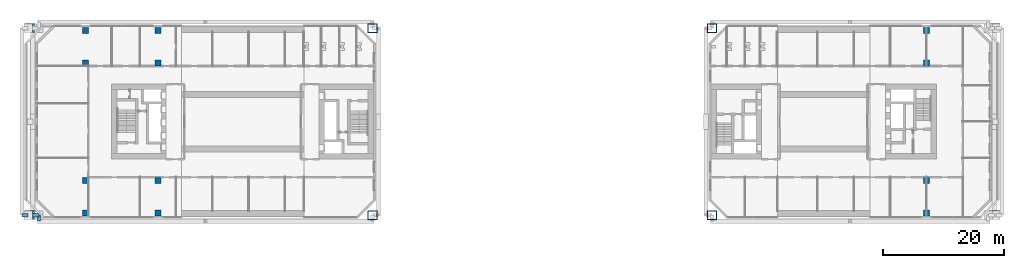
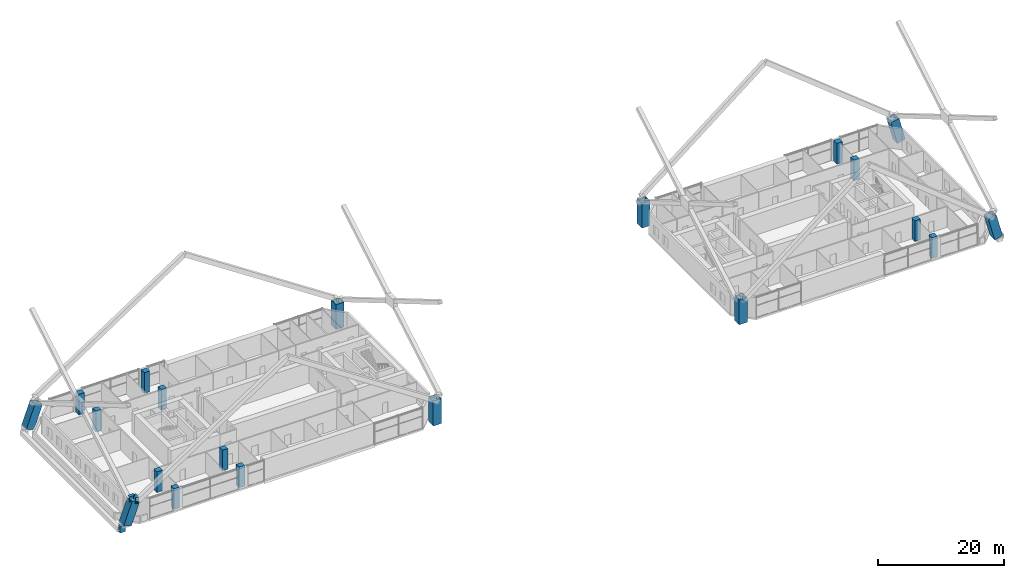
# One storey, part 1 of 25: 20 columns, 3 beams.
"""IFC4 building model written with IfcOpenShell, lengths in metres."""

from ifc_helpers import new_model, si_unit, direction, frame, origin, origin_2d, place, context, subcontext, project, spatial, rectangle, hollow_rectangle, extrude, material, material_profile, profile_set, type_object, element, save


model = new_model("IFC4")

# Units and contexts
model_context = context("Model", 3, precision=1e-05, world=origin(), true_north=direction((0.0, 1.0)))
body_context = subcontext(model_context, "Body", "Model", "MODEL_VIEW")
ifc_project = project(units=[si_unit("LENGTHUNIT", "METRE"), si_unit("AREAUNIT", "SQUARE_METRE"), si_unit("VOLUMEUNIT", "CUBIC_METRE"), si_unit("PLANEANGLEUNIT", "RADIAN"), si_unit("MASSUNIT", "GRAM", prefix="KILO")], contexts=[model_context])

# Site, building, storey
site_placement = place(None, origin())
site = spatial("IfcSite", under=ifc_project, at=site_placement, CompositionType="ELEMENT")
building_placement = place(site_placement, origin())
building = spatial("IfcBuilding", under=site, at=building_placement, Name="Tuart Gate Housing", CompositionType="ELEMENT")
storey_placement = place(building_placement, frame((0.0, 0.0, 14.699951171875)))
storey = spatial("IfcBuildingStorey", under=building, at=storey_placement, Name="L03", CompositionType="ELEMENT", Elevation=14.699951171875)

# Columns
ifc_material_1 = material(Name="Steel Grade 350", Category="steel")
ifc_material_profile_1 = material_profile(ifc_material_1, hollow_rectangle(XDim=1.5, YDim=1.5, WallThickness=0.080078125, at=origin_2d()), Name="BOX 1500x1500x80")
ifc_profile_set_1 = profile_set([ifc_material_profile_1], Name="Steel Grade 350")
column_type_1 = type_object("IfcColumnType", Name="Mega column BOX 1500x1500x80 (4.6-5.8 m)", PredefinedType="COLUMN", material=ifc_profile_set_1)
column_1_placement = place(storey_placement, frame((18.643798828125, 54.550048828125, 0.2568359375), z_axis=(0.342481981042, 0.0, 0.939524397055), x_axis=(0.0, 1.0, 0.0)))
element("IfcColumn", 1, at=column_1_placement, inside=storey, type_object=column_type_1, Name="Mega column A south-west L03", PredefinedType="COLUMN", context=body_context, shape_type="SweptSolid", body=[
    extrude(hollow_rectangle(XDim=1.5, YDim=1.5, WallThickness=0.080078125, at=origin_2d()), origin(), (0.0, 0.0, 1.0), 4.562255859375),
])
for number, where, z_axis, x_axis, name in (
    (2, (75.449951171875, 54.550048828125, 0.0), (0.0, 0.0, 1.0), (1.0, 0.0, 0.0), "Mega column A south-east L03"),
    (3, (75.449951171875, 85.449951171875, 0.0), (0.0, 0.0, 1.0), (1.0, 0.0, 0.0), "Mega column A north-east L03"),
):
    element("IfcColumn", number, at=place(storey_placement, frame(where, z_axis=z_axis, x_axis=x_axis)), inside=storey, type_object=column_type_1, Name=name, PredefinedType="COLUMN", context=body_context, shape_type="SweptSolid", body=[
        extrude(hollow_rectangle(XDim=1.5, YDim=1.5, WallThickness=0.080078125, at=origin_2d()), origin(), (0.0, 0.0, 1.0), 4.800048828125),
    ])
column_2_placement = place(storey_placement, frame((18.643798828125, 85.449951171875, 0.2568359375), z_axis=(0.342481981042, 0.0, 0.939524397055), x_axis=(0.0, 1.0, 0.0)))
element("IfcColumn", 4, at=column_2_placement, inside=storey, type_object=column_type_1, Name="Mega column A north-west L03", PredefinedType="COLUMN", context=body_context, shape_type="SweptSolid", body=[
    extrude(hollow_rectangle(XDim=1.5, YDim=1.5, WallThickness=0.080078125, at=origin_2d()), origin(), (0.0, 0.0, 1.0), 4.562255859375),
])
column_3_placement = place(storey_placement, frame((131.550048828125, 54.550048828125, 0.0), z_axis=(0.0, 0.0, 1.0), x_axis=(1.0, 0.0, 0.0)))
element("IfcColumn", 5, at=column_3_placement, inside=storey, type_object=column_type_1, Name="Mega column B south-west L03", PredefinedType="COLUMN", context=body_context, shape_type="SweptSolid", body=[
    extrude(hollow_rectangle(XDim=1.5, YDim=1.5, WallThickness=0.080078125, at=origin_2d()), origin(), (0.0, 0.0, 1.0), 4.800048828125),
])
for number, where, z_axis, x_axis, name in (
    (6, (178.40087890625, 54.550048828125, 0.18896484375), (-0.252015167708, 0.0, 0.967723284439), (0.0, -1.0, 0.0), "Mega column B south-east L03"),
    (7, (178.40087890625, 85.449951171875, 0.18896484375), (-0.252015167708, 0.0, 0.967723284439), (0.0, -1.0, 0.0), "Mega column B north-east L03"),
):
    element("IfcColumn", number, at=place(storey_placement, frame(where, z_axis=z_axis, x_axis=x_axis)), inside=storey, type_object=column_type_1, Name=name, PredefinedType="COLUMN", context=body_context, shape_type="SweptSolid", body=[
        extrude(hollow_rectangle(XDim=1.5, YDim=1.5, WallThickness=0.080078125, at=origin_2d()), origin(), (0.0, 0.0, 1.0), 4.569580078125),
    ])
column_4_placement = place(storey_placement, frame((131.550048828125, 85.449951171875, 0.0), z_axis=(0.0, 0.0, 1.0), x_axis=(1.0, 0.0, 0.0)))
element("IfcColumn", 8, at=column_4_placement, inside=storey, type_object=column_type_1, Name="Mega column B north-west L03", PredefinedType="COLUMN", context=body_context, shape_type="SweptSolid", body=[
    extrude(hollow_rectangle(XDim=1.5, YDim=1.5, WallThickness=0.080078125, at=origin_2d()), origin(), (0.0, 0.0, 1.0), 4.800048828125),
])
ifc_material_2 = material(Name="Concrete C50", Category="concrete")
ifc_material_profile_2 = material_profile(ifc_material_2, rectangle(XDim=1.0, YDim=1.0, at=origin_2d()), Name="RC column 1000 x 1000")
ifc_profile_set_2 = profile_set([ifc_material_profile_2], Name="Concrete C50")
column_type_2 = type_object("IfcColumnType", Name="RC column 1000 x 1000", PredefinedType="COLUMN", material=ifc_profile_set_2)
for number, where, z_axis, x_axis, name in (
    (9, (28.0, 54.89990234375, 0.0), (0.0, 0.0, 1.0), (1.0, 0.0, 0.0), "RC column 2 L03"),
    (10, (28.0, 60.300048828125, 0.0), (0.0, 0.0, 1.0), (1.0, 0.0, 0.0), "RC column 3 L03"),
    (11, (28.0, 79.699951171875, 0.0), (0.0, 0.0, 1.0), (1.0, 0.0, 0.0), "RC column 6 L03"),
    (12, (28.0, 85.10009765625, 0.0), (0.0, 0.0, 1.0), (1.0, 0.0, 0.0), "RC column 7 L03"),
    (13, (40.0, 54.89990234375, 0.0), (0.0, 0.0, 1.0), (1.0, 0.0, 0.0), "RC column 10 L03"),
    (14, (40.0, 60.300048828125, 0.0), (0.0, 0.0, 1.0), (1.0, 0.0, 0.0), "RC column 11 L03"),
    (15, (40.0, 79.699951171875, 0.0), (0.0, 0.0, 1.0), (1.0, 0.0, 0.0), "RC column 14 L03"),
    (16, (40.0, 85.10009765625, 0.0), (0.0, 0.0, 1.0), (1.0, 0.0, 0.0), "RC column 15 L03"),
    (17, (167.0, 54.89990234375, 0.0), (0.0, 0.0, 1.0), (1.0, 0.0, 0.0), "RC column 34 L03"),
    (18, (167.0, 60.300048828125, 0.0), (0.0, 0.0, 1.0), (1.0, 0.0, 0.0), "RC column 35 L03"),
    (19, (167.0, 79.699951171875, 0.0), (0.0, 0.0, 1.0), (1.0, 0.0, 0.0), "RC column 38 L03"),
    (20, (167.0, 85.10009765625, 0.0), (0.0, 0.0, 1.0), (1.0, 0.0, 0.0), "RC column 39 L03"),
):
    element("IfcColumn", number, at=place(storey_placement, frame(where, z_axis=z_axis, x_axis=x_axis)), inside=storey, type_object=column_type_2, Name=name, PredefinedType="COLUMN", context=body_context, shape_type="SweptSolid", body=[
        extrude(rectangle(XDim=1.0, YDim=1.0, at=origin_2d()), origin(), (0.0, 0.0, 1.0), 4.0),
    ])

# Beams
ifc_material_3 = material(Name="Steel Grade 350", Category="steel")
ifc_material_profile_3 = material_profile(ifc_material_3, hollow_rectangle(XDim=0.60009765625, YDim=1.199951171875, WallThickness=0.0400390625, at=origin_2d()), Name="BOX 1200x600x40")
ifc_profile_set_3 = profile_set([ifc_material_profile_3], Name="Steel Grade 350")
beam_type = type_object("IfcBeamType", Name="Brace shoe BOX 1200x600x40", PredefinedType="BEAM", material=ifc_profile_set_3)
for number, where, z_axis, x_axis, name in (
    (21, (18.550048828125, 54.550048828125, -0.39990234375), (-1.0, 0.0, 0.0), (0.0, -1.0, 0.0), "Mega tie beam A node 0 west shoe 0 L03"),
    (22, (20.300048828125, 54.550048828125, 4.800048828125), (0.0, -1.0, 0.0), (1.0, 0.0, 0.0), "Mega brace shoe A zone 1 south chevron 1"),
    (23, (20.300048828125, 54.550048828125, 4.800048828125), (-1.0, 0.0, 0.0), (0.0, -1.0, 0.0), "Mega brace shoe A zone 1 west cross 1"),
):
    element("IfcBeam", number, at=place(storey_placement, frame(where, z_axis=z_axis, x_axis=x_axis)), inside=storey, type_object=beam_type, Name=name, PredefinedType="BEAM", context=body_context, shape_type="SweptSolid", body=[
        extrude(hollow_rectangle(XDim=0.60009765625, YDim=1.199951171875, WallThickness=0.0400390625, at=origin_2d()), origin(), (0.0, 0.0, 1.0), 1.0),
    ])

save(model, "model.ifc")
